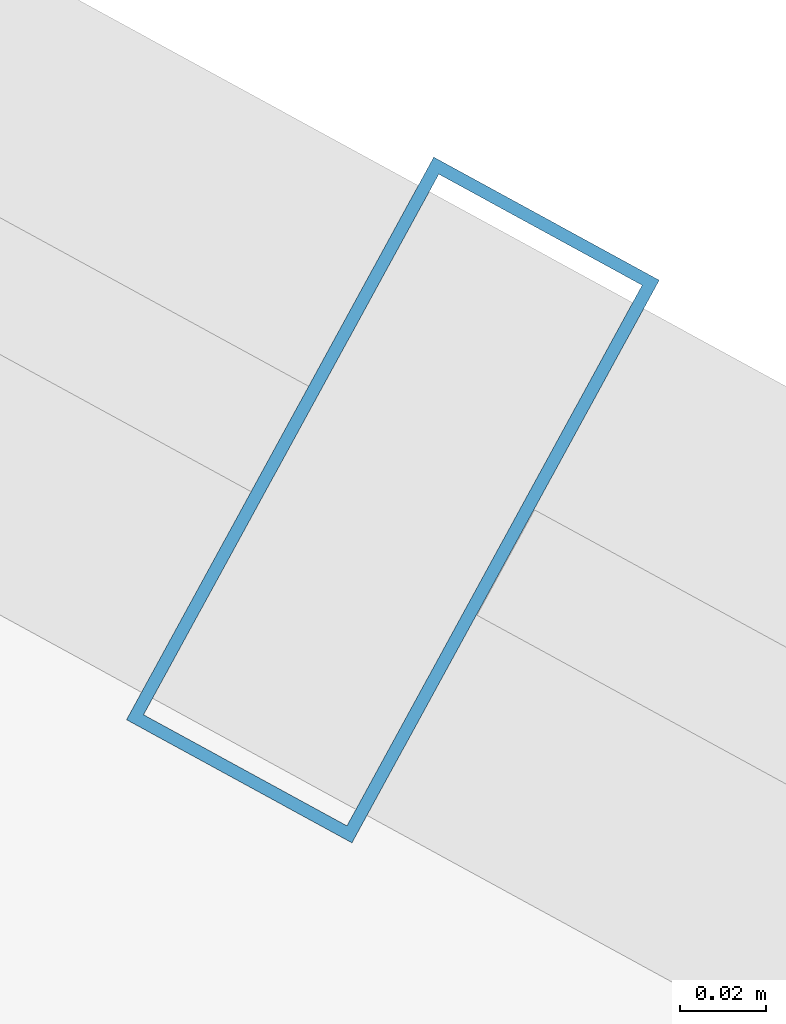
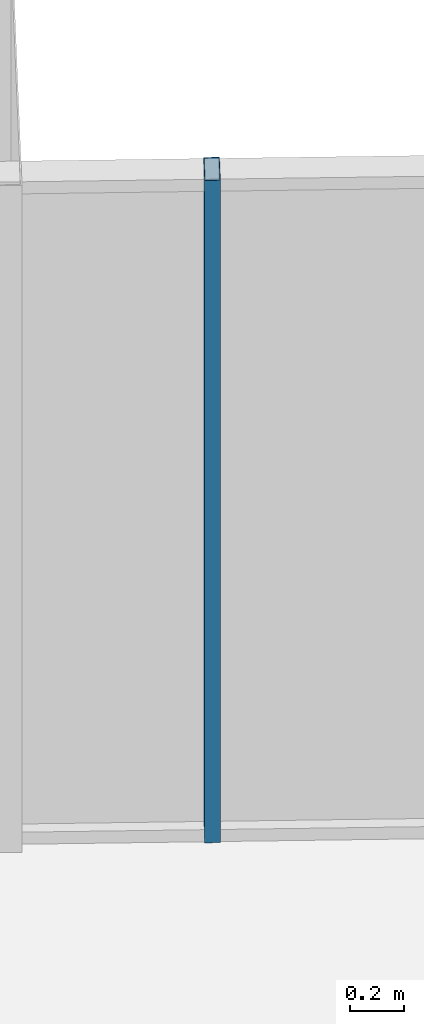
# One storey, part 26 of 32: 1 member, 1 element without a shape of its own.
"""IFC4 building model written with IfcOpenShell, lengths in metres."""

from ifc_helpers import new_model, si_unit, direction, frame, origin, origin_2d, place, context, subcontext, project, spatial, hollow_rectangle, extrude, source, transform, mapped, material, layer, layer_set, material_profile, profile_set, type_object, element, aggregate, save


model = new_model("IFC4")

# Units and contexts
model_context = context("Model", 3, precision=1e-05, world=origin(), true_north=direction((0.0, 1.0)))
body_context = subcontext(model_context, "Body", "Model", "MODEL_VIEW")
ifc_project = project(units=[si_unit("LENGTHUNIT", "METRE"), si_unit("AREAUNIT", "SQUARE_METRE"), si_unit("VOLUMEUNIT", "CUBIC_METRE"), si_unit("PLANEANGLEUNIT", "RADIAN"), si_unit("MASSUNIT", "GRAM", prefix="KILO")], contexts=[model_context])

# Site, building, storey
site_placement = place(None, origin())
site = spatial("IfcSite", under=ifc_project, at=site_placement, CompositionType="ELEMENT")
building_placement = place(site_placement, origin())
building = spatial("IfcBuilding", under=site, at=building_placement, Name="Veraguas Prism Commons", CompositionType="ELEMENT")
storey_placement = place(building_placement, frame((0.0, 0.0, 201.60009765625)))
storey = spatial("IfcBuildingStorey", under=building, at=storey_placement, Name="L57", CompositionType="ELEMENT", Elevation=201.60009765625)

# Curtain wall, member
ifc_material = material(Name="Anodised aluminium EN AW-6063 T6", Category="aluminium")
ifc_layer = layer(ifc_material, 0.14990234375, Name="Unitised Flush Curtain Wall Zone 3", Category="aluminium")
ifc_layer_set = layer_set([ifc_layer], Name="Anodised aluminium EN AW-6063 T6")
curtain_wall_type = type_object("IfcCurtainWallType", Name="Unitised Flush Curtain Wall Zone 3", PredefinedType="NOTDEFINED", material=ifc_layer_set)
curtain_wall_placement = place(storey_placement, origin())
curtain_wall = element("IfcCurtainWall", 1, at=curtain_wall_placement, inside=storey, type_object=curtain_wall_type, Name="Tower Facade Curtain Wall L57-F1", PredefinedType="NOTDEFINED")
ifc_material_profile = material_profile(ifc_material, hollow_rectangle(XDim=0.06005859375, YDim=0.14990234375, WallThickness=0.0029296875, at=origin_2d()), Name="AL60X150X3")
ifc_profile_set = profile_set([ifc_material_profile], Name="Anodised aluminium EN AW-6063 T6")
member_type = type_object("IfcMemberType", Name="Curtain Wall Mullion Upper AL 60x150x3", PredefinedType="MULLION", material=ifc_profile_set)
shared_shape = source(origin(), body_context, "Body", "SweptSolid", [
    extrude(hollow_rectangle(XDim=0.06005859375, YDim=0.14990234375, WallThickness=0.0029296875, at=origin_2d()), origin(), (0.0, 0.0, 1.0), 3.014892578125),
])
member_placement = place(storey_placement, frame((35.977783203125, 37.637939453125, 0.0), z_axis=(0.0, 0.0, 1.0), x_axis=(-0.877646898441, 0.479307752553, 0.0)))
member = element("IfcMember", 2, at=member_placement, type_object=member_type, Name="CW-Z3 Mullion 2", PredefinedType="MULLION", context=body_context, shape_type="MappedRepresentation", body=[
    mapped(shared_shape, transform((0.0, 0.0, 0.0), scale=1.0)),
])
aggregate(curtain_wall, [member])

save(model, "model.ifc")
